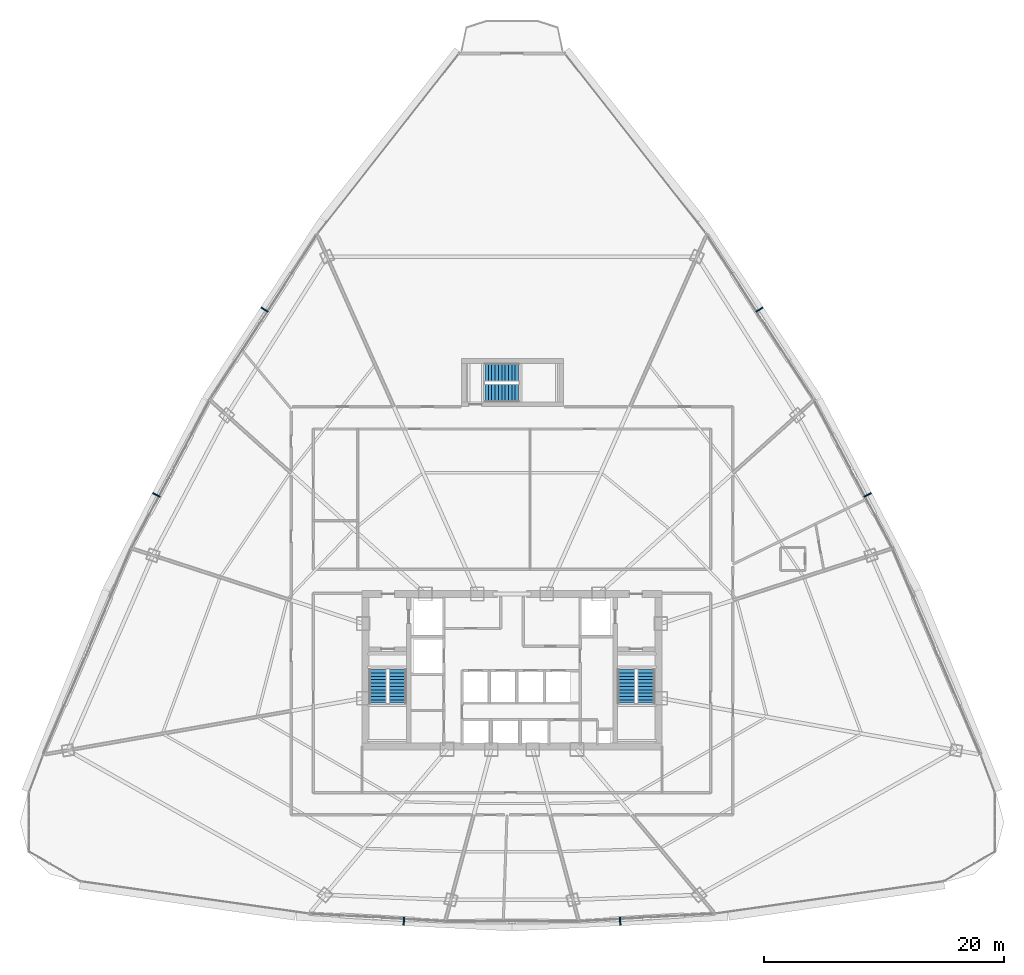
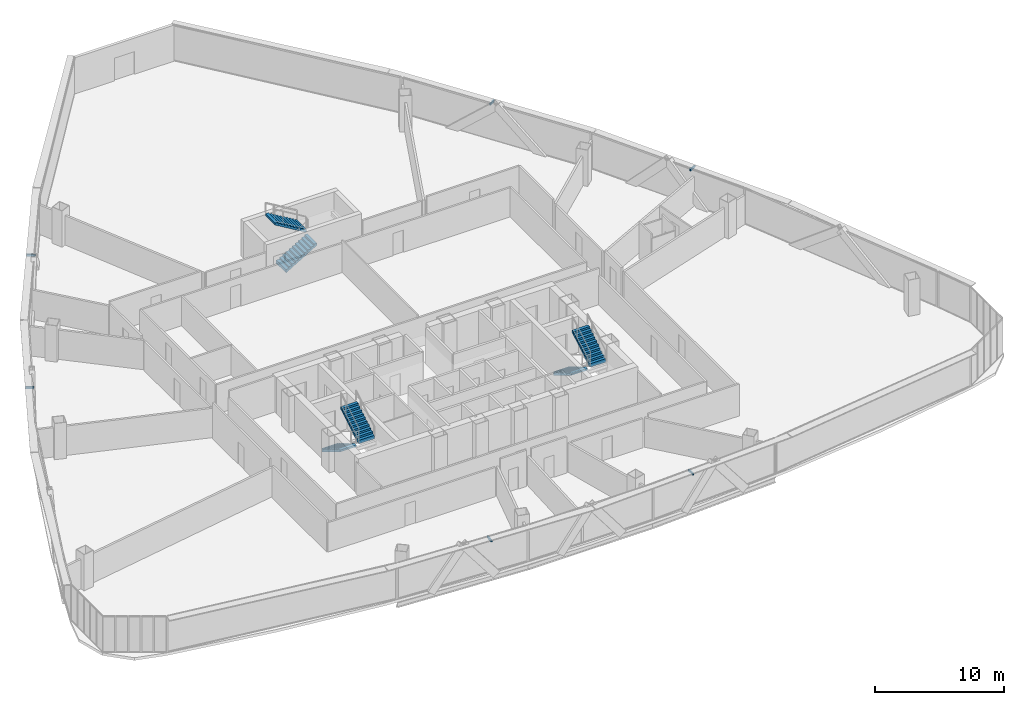
# One storey, part 38 of 42: 6 discrete accessories, 6 stair flights, 3 elements without a shape of their own.
"""IFC4 building model written with IfcOpenShell, lengths in metres."""

from ifc_helpers import new_model, si_unit, direction, frame, origin, origin_2d, place, context, subcontext, project, spatial, polyline, rectangle, outline, extrude, source, transform, mapped, material, type_object, element, aggregate, save


model = new_model("IFC4")

# Units and contexts
model_context = context("Model", 3, precision=1e-05, world=origin(), true_north=direction((0.0, 1.0)))
body_context = subcontext(model_context, "Body", "Model", "MODEL_VIEW")
ifc_project = project(units=[si_unit("LENGTHUNIT", "METRE"), si_unit("AREAUNIT", "SQUARE_METRE"), si_unit("VOLUMEUNIT", "CUBIC_METRE"), si_unit("PLANEANGLEUNIT", "RADIAN"), si_unit("MASSUNIT", "GRAM", prefix="KILO"), si_unit("THERMODYNAMICTEMPERATUREUNIT", "KELVIN"), si_unit("POWERUNIT", "WATT")], contexts=[model_context])

# Site, building, storey
site_placement = place(None, origin())
site = spatial("IfcSite", under=ifc_project, at=site_placement, CompositionType="ELEMENT")
building_placement = place(site_placement, origin())
building = spatial("IfcBuilding", under=site, at=building_placement, Name="Yunzhuo Pagoda Commons", CompositionType="ELEMENT")
storey_placement = place(building_placement, frame((0.0, 0.0, 133.510009765625)))
storey = spatial("IfcBuildingStorey", under=building, at=storey_placement, Name="L33", CompositionType="ELEMENT", Elevation=133.510009765625)

# Stair, stair flights
ifc_material_1 = material(Name="Concrete C40", Category="concrete")
stair_type_1 = type_object("IfcStairType", Name="ST-C1 Core Smokeproof Stair ST1", PredefinedType="HALF_TURN_STAIR", material=ifc_material_1)
stair_1_placement = place(storey_placement, origin())
stair_1 = element("IfcStair", 1, at=stair_1_placement, inside=storey, type_object=stair_type_1, Name="L33 Core smokeproof stair ST1", PredefinedType="HALF_TURN_STAIR")
stair_flight_type_1 = type_object("IfcStairFlightType", Name="STF-C1 Core Stair Flight 1450", PredefinedType="STRAIGHT", material=ifc_material_1)
shared_shape_1 = source(origin(), body_context, "Body", "SweptSolid", [
    extrude(outline(polyline([(0.0, -0.14990234375), (0.0, 0.0), (0.0, 0.167236328125), (0.280029296875, 0.167236328125), (0.280029296875, 0.33447265625), (0.56005859375, 0.33447265625), (0.56005859375, 0.501708984375), (0.840087890625, 0.501708984375), (0.840087890625, 0.669189453125), (1.1201171875, 0.669189453125), (1.1201171875, 0.83642578125), (1.39990234375, 0.83642578125), (1.39990234375, 1.003662109375), (1.679931640625, 1.003662109375), (1.679931640625, 1.1708984375), (1.9599609375, 1.1708984375), (1.9599609375, 1.338134765625), (2.239990234375, 1.338134765625), (2.239990234375, 1.50537109375), (2.52001953125, 1.50537109375), (2.52001953125, 1.672607421875), (2.800048828125, 1.672607421875), (2.800048828125, 1.840087890625), (2.800048828125, 1.498046875), (0.292236328125, 0.0), (0.050048828125, -0.14990234375), (0.0, -0.14990234375)])), frame((0.0, 0.72509765625, 0.0), z_axis=(0.0, -1.0, 0.0), x_axis=(1.0, 0.0, 0.0)), (0.0, 0.0, 1.0), 1.449951171875),
])
stair_flight_1_placement = place(storey_placement, frame((36.824951171875, 33.89990234375, 0.0), z_axis=(0.0, 0.0, 1.0), x_axis=(0.0, -1.0, 0.0)))
stair_flight_1 = element("IfcStairFlight", 2, at=stair_flight_1_placement, type_object=stair_flight_type_1, Name="ST1 flight 1", NumberOfRisers=11, NumberOfTreads=10, PredefinedType="STRAIGHT", RiserHeight=0.167272727, TreadLength=0.28, context=body_context, shape_type="MappedRepresentation", body=[
    mapped(shared_shape_1, transform((0.0, 0.0, 0.0), scale=1.0)),
])
stair_flight_2_placement = place(storey_placement, frame((38.47509765625, 31.10009765625, 1.840087890625), z_axis=(0.0, 0.0, 1.0), x_axis=(0.0, 1.0, 0.0)))
stair_flight_2 = element("IfcStairFlight", 3, at=stair_flight_2_placement, type_object=stair_flight_type_1, Name="ST1 flight 2", NumberOfRisers=11, NumberOfTreads=10, PredefinedType="STRAIGHT", RiserHeight=0.167272727, TreadLength=0.28, context=body_context, shape_type="MappedRepresentation", body=[
    mapped(shared_shape_1, transform((0.0, 0.0, 0.0), scale=1.0)),
])
aggregate(stair_1, [stair_flight_1, stair_flight_2])

stair_type_2 = type_object("IfcStairType", Name="ST-C2 Core Smokeproof Stair ST2", PredefinedType="HALF_TURN_STAIR", material=ifc_material_1)
stair_2_placement = place(storey_placement, origin())
stair_2 = element("IfcStair", 4, at=stair_2_placement, inside=storey, type_object=stair_type_2, Name="L33 Core smokeproof stair ST2", PredefinedType="HALF_TURN_STAIR")
stair_flight_type_2 = type_object("IfcStairFlightType", Name="STF-C2 Core Stair Flight 1460", PredefinedType="STRAIGHT", material=ifc_material_1)
stair_flight_3_placement = place(storey_placement, frame((57.52490234375, 33.89990234375, 0.0), z_axis=(0.0, 0.0, 1.0), x_axis=(0.0, -1.0, 0.0)))
stair_flight_3 = element("IfcStairFlight", 5, at=stair_flight_3_placement, type_object=stair_flight_type_2, Name="ST2 flight 1", NumberOfRisers=11, NumberOfTreads=10, PredefinedType="STRAIGHT", RiserHeight=0.167272727, TreadLength=0.28, context=body_context, shape_type="MappedRepresentation", body=[
    mapped(shared_shape_1, transform((0.0, 0.0, 0.0), scale=1.0)),
])
stair_flight_4_placement = place(storey_placement, frame((59.175048828125, 31.10009765625, 1.840087890625), z_axis=(0.0, 0.0, 1.0), x_axis=(0.0, 1.0, 0.0)))
stair_flight_4 = element("IfcStairFlight", 6, at=stair_flight_4_placement, type_object=stair_flight_type_2, Name="ST2 flight 2", NumberOfRisers=11, NumberOfTreads=10, PredefinedType="STRAIGHT", RiserHeight=0.167272727, TreadLength=0.28, context=body_context, shape_type="MappedRepresentation", body=[
    mapped(shared_shape_1, transform((0.0, 0.0, 0.0), scale=1.0)),
])
aggregate(stair_2, [stair_flight_3, stair_flight_4])

stair_type_3 = type_object("IfcStairType", Name="ST-C3 North Tower Smokeproof Stair ST3", PredefinedType="HALF_TURN_STAIR", material=ifc_material_1)
stair_3_placement = place(storey_placement, origin())
stair_3 = element("IfcStair", 7, at=stair_3_placement, inside=storey, type_object=stair_type_3, Name="L33 North tower smokeproof stair ST3", PredefinedType="HALF_TURN_STAIR")
stair_flight_type_3 = type_object("IfcStairFlightType", Name="STF-C3 North Stair Flight 1500", PredefinedType="STRAIGHT", material=ifc_material_1)
shared_shape_2 = source(origin(), body_context, "Body", "SweptSolid", [
    extrude(outline(polyline([(0.0, -0.14990234375), (0.0, 0.0), (0.0, 0.167236328125), (0.280029296875, 0.167236328125), (0.280029296875, 0.33447265625), (0.56005859375, 0.33447265625), (0.56005859375, 0.501708984375), (0.840087890625, 0.501708984375), (0.840087890625, 0.669189453125), (1.1201171875, 0.669189453125), (1.1201171875, 0.83642578125), (1.39990234375, 0.83642578125), (1.39990234375, 1.003662109375), (1.679931640625, 1.003662109375), (1.679931640625, 1.1708984375), (1.9599609375, 1.1708984375), (1.9599609375, 1.338134765625), (2.239990234375, 1.338134765625), (2.239990234375, 1.50537109375), (2.52001953125, 1.50537109375), (2.52001953125, 1.672607421875), (2.800048828125, 1.672607421875), (2.800048828125, 1.840087890625), (2.800048828125, 1.498046875), (0.292236328125, 0.0), (0.050048828125, -0.14990234375), (0.0, -0.14990234375)])), frame((0.0, 0.75, 0.0), z_axis=(0.0, -1.0, 0.0), x_axis=(1.0, 0.0, 0.0)), (0.0, 0.0, 1.0), 1.5),
])
stair_flight_5_placement = place(storey_placement, frame((45.75, 56.949951171875, 0.0), z_axis=(0.0, 0.0, 1.0), x_axis=(1.0, 0.0, 0.0)))
stair_flight_5 = element("IfcStairFlight", 8, at=stair_flight_5_placement, type_object=stair_flight_type_3, Name="ST3 flight 1", NumberOfRisers=11, NumberOfTreads=10, PredefinedType="STRAIGHT", RiserHeight=0.167272727, TreadLength=0.28, context=body_context, shape_type="MappedRepresentation", body=[
    mapped(shared_shape_2, transform((0.0, 0.0, 0.0), scale=1.0)),
])
stair_flight_6_placement = place(storey_placement, frame((48.550048828125, 58.64990234375, 1.840087890625), z_axis=(0.0, 0.0, 1.0), x_axis=(-1.0, 0.0, 0.0)))
stair_flight_6 = element("IfcStairFlight", 9, at=stair_flight_6_placement, type_object=stair_flight_type_3, Name="ST3 flight 2", NumberOfRisers=11, NumberOfTreads=10, PredefinedType="STRAIGHT", RiserHeight=0.167272727, TreadLength=0.28, context=body_context, shape_type="MappedRepresentation", body=[
    mapped(shared_shape_2, transform((0.0, 0.0, 0.0), scale=1.0)),
])
aggregate(stair_3, [stair_flight_5, stair_flight_6])

# Discrete accessories
ifc_material_2 = material(Name="Anodized aluminium 6063-T6", Category="aluminium")
discrete_accessory_type = type_object("IfcDiscreteAccessoryType", Name="BK-SUN1 Sunshade Outrigger Bracket", PredefinedType="BRACKET", material=ifc_material_2)
shared_shape_3 = source(origin(), body_context, "Body", "SweptSolid", [
    extrude(rectangle(XDim=0.1201171875, YDim=0.679931640625, at=origin_2d()), origin(), (0.0, 0.0, 1.0), 0.179931640625),
])
for number, where, z_axis, x_axis, name in (
    (10, (38.9873046875, 12.923095703125, 3.2099609375), (0.0, 0.0, 1.0), (0.998818043775, -0.04860571396, 0.0), "L33 sunshade outrigger bracket F1.2"),
    (11, (57.0126953125, 12.923095703125, 3.2099609375), (0.0, 0.0, 1.0), (0.998818043775, 0.04860571396, 0.0), "L33 sunshade outrigger bracket F1.3"),
    (12, (77.634765625, 48.453857421875, 3.2099609375), (0.0, 0.0, 1.0), (-0.461206683033, 0.88729273384, 0.0), "L33 sunshade outrigger bracket F2.2"),
    (13, (68.621826171875, 63.89404296875, 3.2099609375), (0.0, 0.0, 1.0), (-0.545838756973, 0.837890238269, 0.0), "L33 sunshade outrigger bracket F2.3"),
    (14, (27.378173828125, 63.89404296875, 3.2099609375), (0.0, 0.0, 1.0), (-0.545838756973, -0.837890238269, 0.0), "L33 sunshade outrigger bracket F3.2"),
    (15, (18.365234375, 48.453857421875, 3.2099609375), (0.0, 0.0, 1.0), (-0.461206683033, -0.88729273384, 0.0), "L33 sunshade outrigger bracket F3.3"),
):
    element("IfcDiscreteAccessory", number, at=place(storey_placement, frame(where, z_axis=z_axis, x_axis=x_axis)), inside=storey, type_object=discrete_accessory_type, Name=name, PredefinedType="BRACKET", context=body_context, shape_type="MappedRepresentation", body=[
        mapped(shared_shape_3, transform((0.0, 0.0, 0.0), scale=1.0)),
    ])

save(model, "model.ifc")
